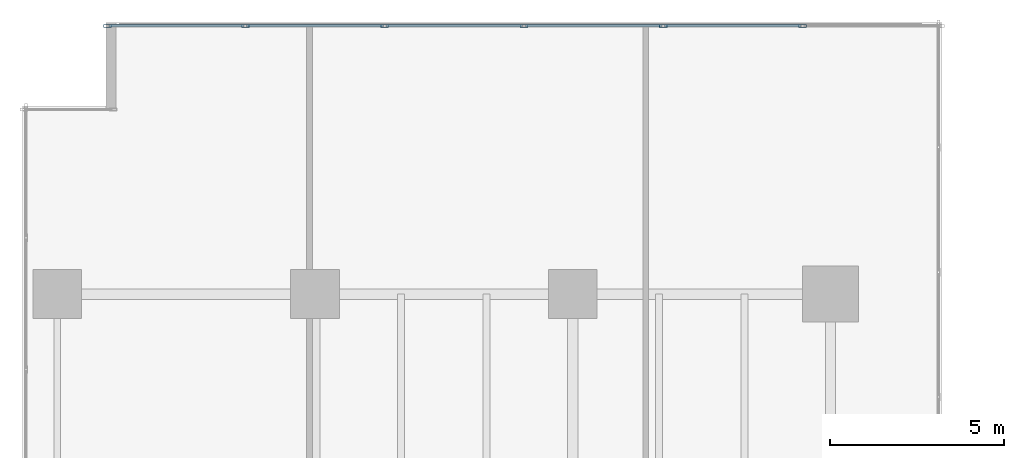
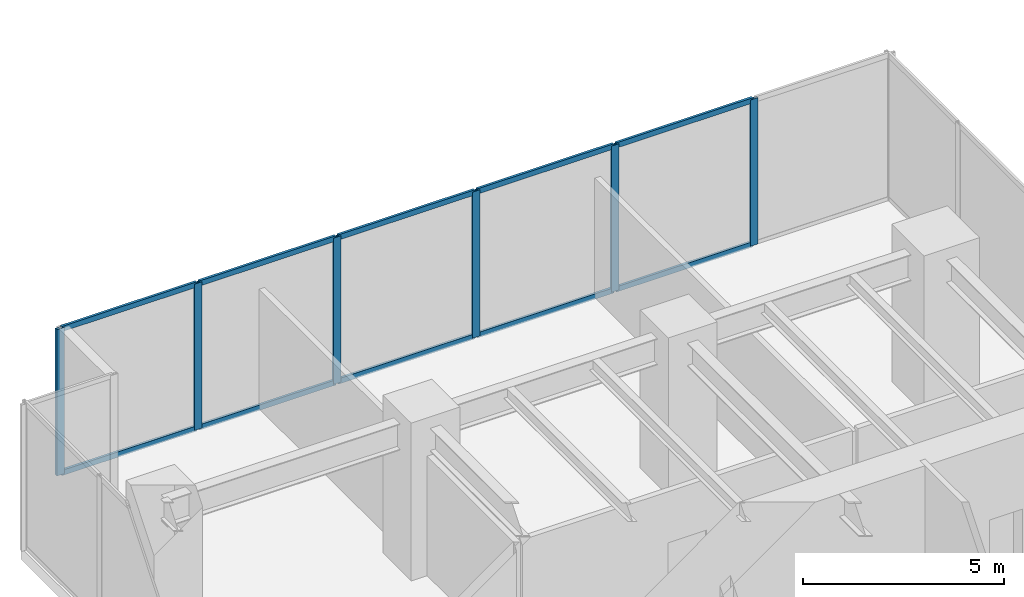
# One storey, part 15 of 32: 16 members, 1 element without a shape of its own.
"""IFC4 building model written with IfcOpenShell, lengths in metres."""

from ifc_helpers import new_model, si_unit, direction, frame, origin, origin_2d, place, context, subcontext, project, spatial, hollow_rectangle, extrude, source, transform, mapped, material, layer, layer_set, material_profile, profile_set, type_object, type_shapes, element, aggregate, save


model = new_model("IFC4")

# Units and contexts
model_context = context("Model", 3, precision=1e-05, world=origin(), true_north=direction((0.0, 1.0)))
body_context = subcontext(model_context, "Body", "Model", "MODEL_VIEW")
ifc_project = project(units=[si_unit("LENGTHUNIT", "METRE"), si_unit("AREAUNIT", "SQUARE_METRE"), si_unit("VOLUMEUNIT", "CUBIC_METRE"), si_unit("PLANEANGLEUNIT", "RADIAN"), si_unit("MASSUNIT", "GRAM", prefix="KILO")], contexts=[model_context])

# Site, building, storey
site_placement = place(None, origin())
site = spatial("IfcSite", under=ifc_project, at=site_placement, CompositionType="ELEMENT")
building_placement = place(site_placement, origin())
building = spatial("IfcBuilding", under=site, at=building_placement, Name="Haelvirn Gate Laboratories", CompositionType="ELEMENT")
storey_placement = place(building_placement, frame((0.0, 0.0, 5.39990234375)))
storey = spatial("IfcBuildingStorey", under=building, at=storey_placement, Name="L02", CompositionType="ELEMENT", Elevation=5.39990234375)

# Curtain wall, members
ifc_material_1 = material(Name="Anodised bronze unitised aluminium & triple low-E glass", Category="aluminium")
ifc_layer = layer(ifc_material_1, 0.18798828125, Name="CW-SYS-1")
ifc_layer_set = layer_set([ifc_layer], Name="Anodised bronze unitised aluminium & triple low-E glass")
curtain_wall_type = type_object("IfcCurtainWallType", Name="CW-SYS-1", PredefinedType="NOTDEFINED", material=ifc_layer_set)
curtain_wall_placement = place(storey_placement, origin())
curtain_wall = element("IfcCurtainWall", 1, at=curtain_wall_placement, inside=storey, type_object=curtain_wall_type, Name="L02 Unitised Curtain Wall CW-L02-P0-E02-1", PredefinedType="NOTDEFINED")
ifc_material_2 = material(Name="Extruded aluminium 6063-T6 (anodised bronze)", Category="aluminium")
ifc_material_profile_1 = material_profile(ifc_material_2, hollow_rectangle(XDim=0.080078125, YDim=0.219970703125, WallThickness=0.006103515625, at=origin_2d()), Name="CWM-220x80x6")
ifc_profile_set_1 = profile_set([ifc_material_profile_1], Name="Extruded aluminium 6063-T6 (anodised bronze)")
member_type_1 = type_object("IfcMemberType", Name="CWM-T220", PredefinedType="MULLION", material=ifc_profile_set_1)
shared_shape_1 = source(origin(), body_context, "Body", "SweptSolid", [
    extrude(hollow_rectangle(XDim=0.080078125, YDim=0.219970703125, WallThickness=0.006103515625, at=origin_2d()), origin(), (0.0, 0.0, 1.0), 4.4501953125),
])
type_shapes(member_type_1, [shared_shape_1])
member_1_placement = place(storey_placement, frame((1.43994140625, 49.300048828125, 0.0), z_axis=(0.0, 0.0, 1.0), x_axis=(0.0, 1.0, 0.0)))
member_1 = element("IfcMember", 2, at=member_1_placement, type_object=member_type_1, Name="CW1 mullion 1", PredefinedType="MULLION", context=body_context, shape_type="MappedRepresentation", body=[
    mapped(shared_shape_1, transform((0.0, 0.0, 0.0), scale=1.0)),
])
member_2_placement = place(storey_placement, frame((5.39990234375, 49.300048828125, 0.0), z_axis=(0.0, 0.0, 1.0), x_axis=(0.0, 1.0, 0.0)))
member_2 = element("IfcMember", 3, at=member_2_placement, type_object=member_type_1, Name="CW1 mullion 2", PredefinedType="MULLION", context=body_context, shape_type="MappedRepresentation", body=[
    mapped(shared_shape_1, transform((0.0, 0.0, 0.0), scale=1.0)),
])
member_3_placement = place(storey_placement, frame((9.39990234375, 49.300048828125, 0.0), z_axis=(0.0, 0.0, 1.0), x_axis=(0.0, 1.0, 0.0)))
member_3 = element("IfcMember", 4, at=member_3_placement, type_object=member_type_1, Name="CW1 mullion 3", PredefinedType="MULLION", context=body_context, shape_type="MappedRepresentation", body=[
    mapped(shared_shape_1, transform((0.0, 0.0, 0.0), scale=1.0)),
])
member_4_placement = place(storey_placement, frame((13.39990234375, 49.300048828125, 0.0), z_axis=(0.0, 0.0, 1.0), x_axis=(0.0, 1.0, 0.0)))
member_4 = element("IfcMember", 5, at=member_4_placement, type_object=member_type_1, Name="CW1 mullion 4", PredefinedType="MULLION", context=body_context, shape_type="MappedRepresentation", body=[
    mapped(shared_shape_1, transform((0.0, 0.0, 0.0), scale=1.0)),
])
member_5_placement = place(storey_placement, frame((17.39990234375, 49.300048828125, 0.0), z_axis=(0.0, 0.0, 1.0), x_axis=(0.0, 1.0, 0.0)))
member_5 = element("IfcMember", 6, at=member_5_placement, type_object=member_type_1, Name="CW1 mullion 5", PredefinedType="MULLION", context=body_context, shape_type="MappedRepresentation", body=[
    mapped(shared_shape_1, transform((0.0, 0.0, 0.0), scale=1.0)),
])
member_6_placement = place(storey_placement, frame((21.39990234375, 49.300048828125, 0.0), z_axis=(0.0, 0.0, 1.0), x_axis=(0.0, 1.0, 0.0)))
member_6 = element("IfcMember", 7, at=member_6_placement, type_object=member_type_1, Name="CW1 mullion 6", PredefinedType="MULLION", context=body_context, shape_type="MappedRepresentation", body=[
    mapped(shared_shape_1, transform((0.0, 0.0, 0.0), scale=1.0)),
])
ifc_material_profile_2 = material_profile(ifc_material_2, hollow_rectangle(XDim=0.070068359375, YDim=0.159912109375, WallThickness=0.0048828125, at=origin_2d()), Name="CWT-160x70x5")
ifc_profile_set_2 = profile_set([ifc_material_profile_2], Name="Extruded aluminium 6063-T6 (anodised bronze)")
member_type_2 = type_object("IfcMemberType", Name="CWT-T160", PredefinedType="USERDEFINED", material=ifc_profile_set_2)
shared_shape_2 = source(origin(), body_context, "Body", "SweptSolid", [
    extrude(hollow_rectangle(XDim=0.070068359375, YDim=0.159912109375, WallThickness=0.0048828125, at=origin_2d()), origin(), (0.0, 0.0, 1.0), 3.880126953125),
])
member_7_placement = place(storey_placement, frame((1.47998046875, 49.300048828125, 0.03515625), z_axis=(1.0, 0.0, 0.0), x_axis=(0.0, 1.0, 0.0)))
member_7 = element("IfcMember", 8, at=member_7_placement, type_object=member_type_2, Name="CW1 transom 1.1", ObjectType="TRANSOM", PredefinedType="USERDEFINED", context=body_context, shape_type="MappedRepresentation", body=[
    mapped(shared_shape_2, transform((0.0, 0.0, 0.0), scale=1.0)),
])
member_8_placement = place(storey_placement, frame((1.47998046875, 49.300048828125, 4.4150390625), z_axis=(1.0, 0.0, 0.0), x_axis=(0.0, 1.0, 0.0)))
member_8 = element("IfcMember", 9, at=member_8_placement, type_object=member_type_2, Name="CW1 transom 1.2", ObjectType="TRANSOM", PredefinedType="USERDEFINED", context=body_context, shape_type="MappedRepresentation", body=[
    mapped(shared_shape_2, transform((0.0, 0.0, 0.0), scale=1.0)),
])
shared_shape_3 = source(origin(), body_context, "Body", "SweptSolid", [
    extrude(hollow_rectangle(XDim=0.070068359375, YDim=0.159912109375, WallThickness=0.0048828125, at=origin_2d()), origin(), (0.0, 0.0, 1.0), 3.920166015625),
])
type_shapes(member_type_2, [shared_shape_2, shared_shape_3])
member_9_placement = place(storey_placement, frame((5.43994140625, 49.300048828125, 0.03515625), z_axis=(1.0, 0.0, 0.0), x_axis=(0.0, 1.0, 0.0)))
member_9 = element("IfcMember", 10, at=member_9_placement, type_object=member_type_2, Name="CW1 transom 2.1", ObjectType="TRANSOM", PredefinedType="USERDEFINED", context=body_context, shape_type="MappedRepresentation", body=[
    mapped(shared_shape_3, transform((0.0, 0.0, 0.0), scale=1.0)),
])
member_10_placement = place(storey_placement, frame((5.43994140625, 49.300048828125, 4.4150390625), z_axis=(1.0, 0.0, 0.0), x_axis=(0.0, 1.0, 0.0)))
member_10 = element("IfcMember", 11, at=member_10_placement, type_object=member_type_2, Name="CW1 transom 2.2", ObjectType="TRANSOM", PredefinedType="USERDEFINED", context=body_context, shape_type="MappedRepresentation", body=[
    mapped(shared_shape_3, transform((0.0, 0.0, 0.0), scale=1.0)),
])
member_11_placement = place(storey_placement, frame((9.43994140625, 49.300048828125, 0.03515625), z_axis=(1.0, 0.0, 0.0), x_axis=(0.0, 1.0, 0.0)))
member_11 = element("IfcMember", 12, at=member_11_placement, type_object=member_type_2, Name="CW1 transom 3.1", ObjectType="TRANSOM", PredefinedType="USERDEFINED", context=body_context, shape_type="MappedRepresentation", body=[
    mapped(shared_shape_3, transform((0.0, 0.0, 0.0), scale=1.0)),
])
member_12_placement = place(storey_placement, frame((9.43994140625, 49.300048828125, 4.4150390625), z_axis=(1.0, 0.0, 0.0), x_axis=(0.0, 1.0, 0.0)))
member_12 = element("IfcMember", 13, at=member_12_placement, type_object=member_type_2, Name="CW1 transom 3.2", ObjectType="TRANSOM", PredefinedType="USERDEFINED", context=body_context, shape_type="MappedRepresentation", body=[
    mapped(shared_shape_3, transform((0.0, 0.0, 0.0), scale=1.0)),
])
member_13_placement = place(storey_placement, frame((13.43994140625, 49.300048828125, 0.03515625), z_axis=(1.0, 0.0, 0.0), x_axis=(0.0, 1.0, 0.0)))
member_13 = element("IfcMember", 14, at=member_13_placement, type_object=member_type_2, Name="CW1 transom 4.1", ObjectType="TRANSOM", PredefinedType="USERDEFINED", context=body_context, shape_type="MappedRepresentation", body=[
    mapped(shared_shape_3, transform((0.0, 0.0, 0.0), scale=1.0)),
])
member_14_placement = place(storey_placement, frame((13.43994140625, 49.300048828125, 4.4150390625), z_axis=(1.0, 0.0, 0.0), x_axis=(0.0, 1.0, 0.0)))
member_14 = element("IfcMember", 15, at=member_14_placement, type_object=member_type_2, Name="CW1 transom 4.2", ObjectType="TRANSOM", PredefinedType="USERDEFINED", context=body_context, shape_type="MappedRepresentation", body=[
    mapped(shared_shape_3, transform((0.0, 0.0, 0.0), scale=1.0)),
])
member_15_placement = place(storey_placement, frame((17.43994140625, 49.300048828125, 0.03515625), z_axis=(1.0, 0.0, 0.0), x_axis=(0.0, 1.0, 0.0)))
member_15 = element("IfcMember", 16, at=member_15_placement, type_object=member_type_2, Name="CW1 transom 5.1", ObjectType="TRANSOM", PredefinedType="USERDEFINED", context=body_context, shape_type="MappedRepresentation", body=[
    mapped(shared_shape_3, transform((0.0, 0.0, 0.0), scale=1.0)),
])
member_16_placement = place(storey_placement, frame((17.43994140625, 49.300048828125, 4.4150390625), z_axis=(1.0, 0.0, 0.0), x_axis=(0.0, 1.0, 0.0)))
member_16 = element("IfcMember", 17, at=member_16_placement, type_object=member_type_2, Name="CW1 transom 5.2", ObjectType="TRANSOM", PredefinedType="USERDEFINED", context=body_context, shape_type="MappedRepresentation", body=[
    mapped(shared_shape_3, transform((0.0, 0.0, 0.0), scale=1.0)),
])
aggregate(curtain_wall, [member_1, member_2, member_3, member_4, member_5, member_6, member_7, member_8, member_9, member_10, member_11, member_12, member_13, member_14, member_15, member_16])

save(model, "model.ifc")
